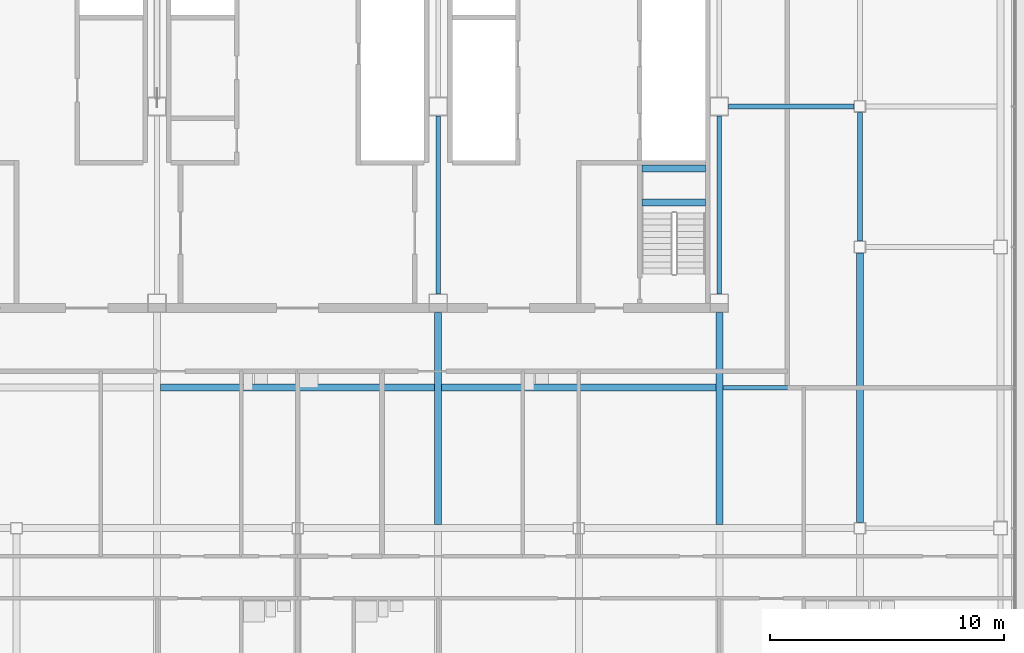
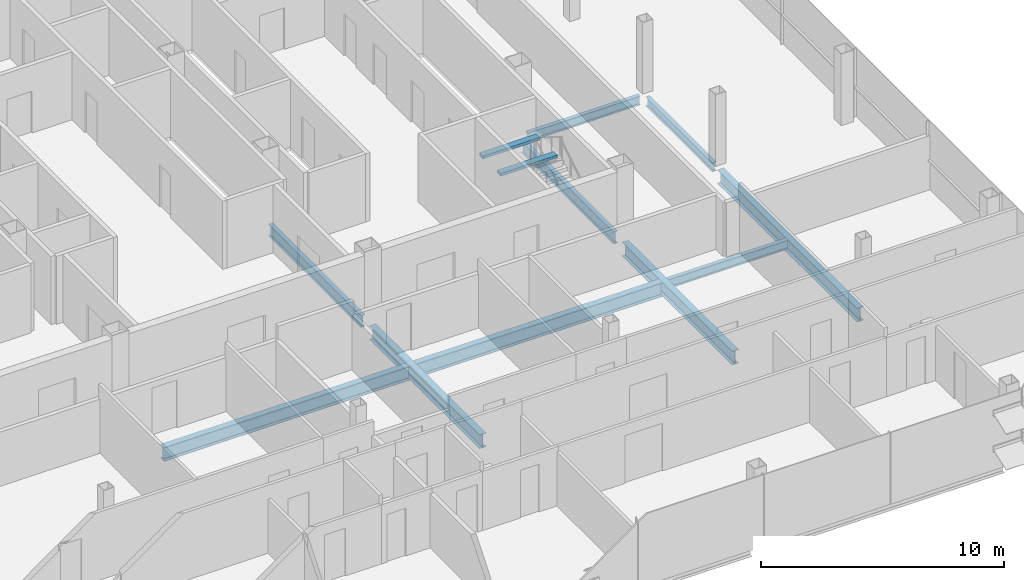
# One storey, part 11 of 28: 12 beams.
"""IFC4 building model written with IfcOpenShell, lengths in metres."""

from ifc_helpers import new_model, si_unit, direction, frame, origin, origin_2d, place, context, subcontext, project, spatial, rectangle, i_section, extrude, material, material_profile, profile_set, type_object, element, save


model = new_model("IFC4")

# Units and contexts
model_context = context("Model", 3, precision=1e-05, world=origin(), true_north=direction((0.0, 1.0)))
body_context = subcontext(model_context, "Body", "Model", "MODEL_VIEW")
ifc_project = project(units=[si_unit("LENGTHUNIT", "METRE"), si_unit("AREAUNIT", "SQUARE_METRE"), si_unit("VOLUMEUNIT", "CUBIC_METRE"), si_unit("PLANEANGLEUNIT", "RADIAN"), si_unit("MASSUNIT", "GRAM", prefix="KILO")], contexts=[model_context])

# Site, building, storey
site_placement = place(None, origin())
site = spatial("IfcSite", under=ifc_project, at=site_placement, CompositionType="ELEMENT")
building_placement = place(site_placement, origin())
building = spatial("IfcBuilding", under=site, at=building_placement, Name="Sorahane Residences", CompositionType="ELEMENT")
storey_placement = place(building_placement, frame((0.0, 0.0, 266.60009765625)))
storey = spatial("IfcBuildingStorey", under=building, at=storey_placement, Name="L63", CompositionType="ELEMENT", Elevation=266.60009765625)

# Beams
ifc_material_1 = material(Name="Concrete C40", Category="concrete")
ifc_material_profile_1 = material_profile(ifc_material_1, rectangle(XDim=0.300048828125, YDim=0.139892578125, at=origin_2d()), Name="300x140")
ifc_profile_set_1 = profile_set([ifc_material_profile_1], Name="Concrete C40")
beam_type_1 = type_object("IfcBeamType", Name="RC landing beam 300 x 140 Concrete C40", PredefinedType="BEAM", material=ifc_profile_set_1)
for number, where, z_axis, x_axis, name in (
    (1, (38.699951171875, 25.89990234375, 1.52978515625), (1.0, 0.0, 0.0), (0.0, 1.0, 0.0), "Landing beam"),
    (2, (38.699951171875, 27.35009765625, 1.52978515625), (1.0, 0.0, 0.0), (0.0, 1.0, 0.0), "Landing beam"),
):
    element("IfcBeam", number, at=place(storey_placement, frame(where, z_axis=z_axis, x_axis=x_axis)), inside=storey, type_object=beam_type_1, Name=name, PredefinedType="BEAM", context=body_context, shape_type="SweptSolid", body=[
        extrude(rectangle(XDim=0.300048828125, YDim=0.139892578125, at=origin_2d()), origin(), (0.0, 0.0, 1.0), 2.699951171875),
    ])
ifc_material_2 = material(Name="Steel Q355B", Category="steel")
ifc_material_profile_2 = material_profile(ifc_material_2, i_section(OverallWidth=0.199951171875, OverallDepth=0.449951171875, WebThickness=0.009033203125, FlangeThickness=0.013916015625, FilletRadius=0.02001953125, at=origin_2d()), Name="HN 450x200x9x14")
ifc_profile_set_2 = profile_set([ifc_material_profile_2], Name="Steel Q355B")
beam_type_2 = type_object("IfcBeamType", Name="Steel floor beam HN 450x200x9x14 Q355B", PredefinedType="BEAM", material=ifc_profile_set_2)
beam_1_placement = place(storey_placement, frame((48.0, 24.25, -0.405029296875), z_axis=(0.0, 1.0, 0.0), x_axis=(-1.0, 0.0, 0.0)))
element("IfcBeam", 3, at=beam_1_placement, inside=storey, type_object=beam_type_2, Name="Beam L63 060", PredefinedType="BEAM", context=body_context, shape_type="SweptSolid", body=[
    extrude(i_section(OverallWidth=0.199951171875, OverallDepth=0.449951171875, WebThickness=0.009033203125, FlangeThickness=0.013916015625, FilletRadius=0.02001953125, at=origin_2d()), origin(), (0.0, 0.0, 1.0), 5.5),
])
beam_2_placement = place(storey_placement, frame((42.14990234375, 18.0, -0.405029296875), z_axis=(1.0, 0.0, 0.0), x_axis=(0.0, 1.0, 0.0)))
element("IfcBeam", 4, at=beam_2_placement, inside=storey, type_object=beam_type_2, Name="Beam L63 083", PredefinedType="BEAM", context=body_context, shape_type="SweptSolid", body=[
    extrude(i_section(OverallWidth=0.199951171875, OverallDepth=0.449951171875, WebThickness=0.009033203125, FlangeThickness=0.013916015625, FilletRadius=0.02001953125, at=origin_2d()), origin(), (0.0, 0.0, 1.0), 5.7001953125),
])
beam_3_placement = place(storey_placement, frame((42.39990234375, 30.0, -0.405029296875), z_axis=(1.0, 0.0, 0.0), x_axis=(0.0, 1.0, 0.0)))
element("IfcBeam", 5, at=beam_3_placement, inside=storey, type_object=beam_type_2, Name="Beam L63 087", PredefinedType="BEAM", context=body_context, shape_type="SweptSolid", body=[
    extrude(i_section(OverallWidth=0.199951171875, OverallDepth=0.449951171875, WebThickness=0.009033203125, FlangeThickness=0.013916015625, FilletRadius=0.02001953125, at=origin_2d()), origin(), (0.0, 0.0, 1.0), 5.35009765625),
])
ifc_material_3 = material(Name="Steel Q355B", Category="steel")
ifc_material_profile_3 = material_profile(ifc_material_3, i_section(OverallWidth=0.199951171875, OverallDepth=0.60009765625, WebThickness=0.010986328125, FlangeThickness=0.01708984375, FilletRadius=0.02392578125, at=origin_2d()), Name="HN 600x200x11x17")
ifc_profile_set_3 = profile_set([ifc_material_profile_3], Name="Steel Q355B")
beam_type_3 = type_object("IfcBeamType", Name="Steel floor beam HN 600x200x11x17 Q355B", PredefinedType="BEAM", material=ifc_profile_set_3)
for number, where, z_axis, x_axis, name in (
    (6, (30.0, 22.0, -0.47998046875), (0.0, 1.0, 0.0), (-1.0, 0.0, 0.0), "Beam L63 046"),
    (7, (42.0, 22.0, -0.47998046875), (0.0, 1.0, 0.0), (-1.0, 0.0, 0.0), "Beam L63 054"),
):
    element("IfcBeam", number, at=place(storey_placement, frame(where, z_axis=z_axis, x_axis=x_axis)), inside=storey, type_object=beam_type_3, Name=name, PredefinedType="BEAM", context=body_context, shape_type="SweptSolid", body=[
        extrude(i_section(OverallWidth=0.199951171875, OverallDepth=0.60009765625, WebThickness=0.010986328125, FlangeThickness=0.01708984375, FilletRadius=0.02392578125, at=origin_2d()), origin(), (0.0, 0.0, 1.0), 7.60009765625),
    ])
ifc_material_4 = material(Name="Steel Q355B", Category="steel")
ifc_material_profile_4 = material_profile(ifc_material_4, i_section(OverallWidth=0.300048828125, OverallDepth=0.699951171875, WebThickness=0.012939453125, FlangeThickness=0.02392578125, FilletRadius=0.028076171875, at=origin_2d()), Name="HN 700x300x13x24")
ifc_profile_set_4 = profile_set([ifc_material_profile_4], Name="Steel Q355B")
beam_type_4 = type_object("IfcBeamType", Name="Steel floor beam HN 700x300x13x24 Q355B", PredefinedType="BEAM", material=ifc_profile_set_4)
for number, where, z_axis, x_axis, name in (
    (8, (30.0, 12.14990234375, -0.530029296875), (0.0, 1.0, 0.0), (-1.0, 0.0, 0.0), "Beam L63 045"),
    (9, (42.0, 12.14990234375, -0.530029296875), (0.0, 1.0, 0.0), (-1.0, 0.0, 0.0), "Beam L63 053"),
):
    element("IfcBeam", number, at=place(storey_placement, frame(where, z_axis=z_axis, x_axis=x_axis)), inside=storey, type_object=beam_type_4, Name=name, PredefinedType="BEAM", context=body_context, shape_type="SweptSolid", body=[
        extrude(i_section(OverallWidth=0.300048828125, OverallDepth=0.699951171875, WebThickness=0.012939453125, FlangeThickness=0.02392578125, FilletRadius=0.028076171875, at=origin_2d()), origin(), (0.0, 0.0, 1.0), 9.050048828125),
    ])
beam_4_placement = place(storey_placement, frame((48.0, 12.25, -0.530029296875), z_axis=(0.0, 1.0, 0.0), x_axis=(-1.0, 0.0, 0.0)))
element("IfcBeam", 10, at=beam_4_placement, inside=storey, type_object=beam_type_4, Name="Beam L63 059", PredefinedType="BEAM", context=body_context, shape_type="SweptSolid", body=[
    extrude(i_section(OverallWidth=0.300048828125, OverallDepth=0.699951171875, WebThickness=0.012939453125, FlangeThickness=0.02392578125, FilletRadius=0.028076171875, at=origin_2d()), origin(), (0.0, 0.0, 1.0), 11.5),
])
for number, where, z_axis, x_axis, name in (
    (11, (18.14990234375, 18.0, -0.530029296875), (1.0, 0.0, 0.0), (0.0, 1.0, 0.0), "Beam L63 081"),
    (12, (30.14990234375, 18.0, -0.530029296875), (1.0, 0.0, 0.0), (0.0, 1.0, 0.0), "Beam L63 082"),
):
    element("IfcBeam", number, at=place(storey_placement, frame(where, z_axis=z_axis, x_axis=x_axis)), inside=storey, type_object=beam_type_4, Name=name, PredefinedType="BEAM", context=body_context, shape_type="SweptSolid", body=[
        extrude(i_section(OverallWidth=0.300048828125, OverallDepth=0.699951171875, WebThickness=0.012939453125, FlangeThickness=0.02392578125, FilletRadius=0.028076171875, at=origin_2d()), origin(), (0.0, 0.0, 1.0), 11.7001953125),
    ])

save(model, "model.ifc")
